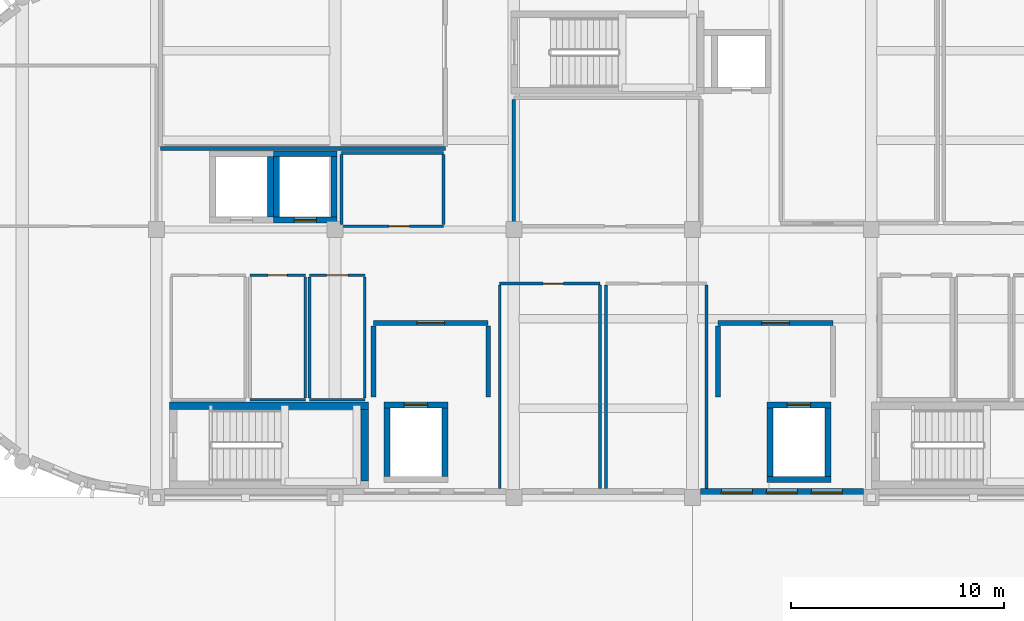
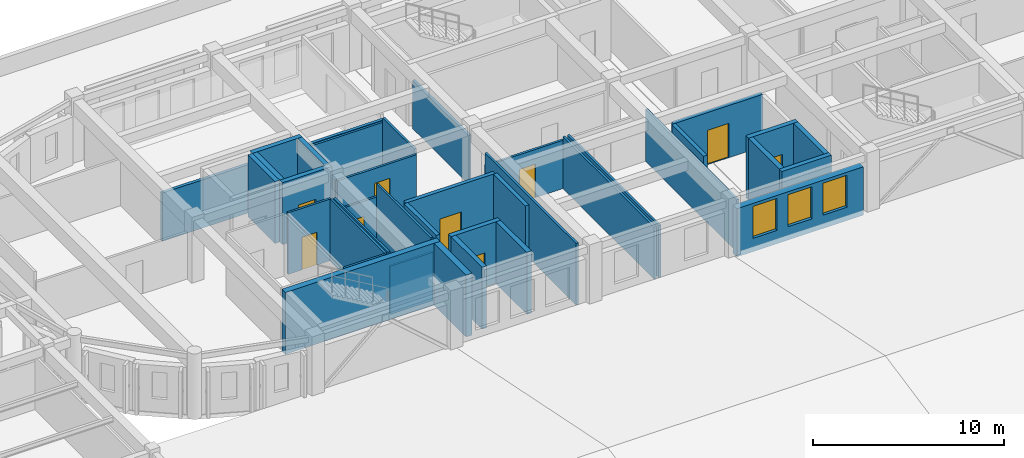
# One storey, part 22 of 46: 38 walls, 9 doors, 3 windows, 12 openings.
"""IFC4 building model written with IfcOpenShell, lengths in metres."""

from ifc_helpers import new_model, si_unit, direction, frame, frame_2d, origin, place, context, subcontext, project, spatial, rectangle, extrude, material, layer, layer_set, type_object, element, fill, save


model = new_model("IFC4")

# Units and contexts
model_context = context("Model", 3, precision=1e-05, world=origin(), true_north=direction((0.0, 1.0)))
body_context = subcontext(model_context, "Body", "Model", "MODEL_VIEW")
ifc_project = project(units=[si_unit("LENGTHUNIT", "METRE"), si_unit("AREAUNIT", "SQUARE_METRE"), si_unit("VOLUMEUNIT", "CUBIC_METRE"), si_unit("PLANEANGLEUNIT", "RADIAN"), si_unit("MASSUNIT", "GRAM", prefix="KILO")], contexts=[model_context])

# Site, building, storey
site_placement = place(None, origin())
site = spatial("IfcSite", under=ifc_project, at=site_placement, CompositionType="ELEMENT")
building_placement = place(site_placement, origin())
building = spatial("IfcBuilding", under=site, at=building_placement, Name="Tarnavel Promenade Courthouse", CompositionType="ELEMENT")
storey_placement = place(building_placement, frame((0.0, 0.0, 14.39990234375)))
storey = spatial("IfcBuildingStorey", under=building, at=storey_placement, Name="L04", CompositionType="ELEMENT", Elevation=14.39990234375)

# Wall
ifc_material_1 = material(Name="Acoustic Insulated Gypsum Stud Partition", Category="gypsum")
ifc_layer_1 = layer(ifc_material_1, 0.1650390625)
ifc_layer_set_1 = layer_set([ifc_layer_1], Name="Acoustic Insulated Gypsum Stud Partition")
wall_type_1 = type_object("IfcWallType", Name="Acoustic Insulated Gypsum Stud Partition WL-CHM-165 (165 mm)", PredefinedType="PARTITIONING", material=ifc_layer_set_1)
wall_1_placement = place(storey_placement, frame((75.60009765625, 92.04248046875, 0.0), z_axis=(0.0, 0.0, 1.0), x_axis=(0.0, 1.0, 0.0)))
element("IfcWall", 1, at=wall_1_placement, inside=storey, type_object=wall_type_1, Name="L04 L04 Judicial Panel Deliberation Salon Partition 0630", PredefinedType="PARTITIONING", context=body_context, shape_type="SweptSolid", body=[
    extrude(rectangle(XDim=5.864990234375, YDim=0.1650390625, at=frame_2d((2.9326171875, 0.0))), origin(), (0.0, 0.0, 1.0), 3.090087890625),
])

# Wall, opening, door
ifc_material_2 = material(Name="Concrete C40/50", Category="concrete")
ifc_layer_2 = layer(ifc_material_2, 0.280029296875)
ifc_layer_set_2 = layer_set([ifc_layer_2], Name="Concrete C40/50")
wall_type_2 = type_object("IfcWallType", Name="Concrete C40/50 WL-SHR-280 (280 mm)", PredefinedType="SHEAR", material=ifc_layer_set_2)
wall_2_placement = place(storey_placement, frame((69.5, 83.56005859375, 0.0), z_axis=(0.0, 0.0, 1.0), x_axis=(1.0, 0.0, 0.0)))
wall_2 = element("IfcWall", 2, at=wall_2_placement, inside=storey, type_object=wall_type_2, Name="L04 L-FF1 Lift Shaft North Wall", PredefinedType="SHEAR", context=body_context, shape_type="SweptSolid", body=[
    extrude(rectangle(XDim=3.0, YDim=0.280029296875, at=frame_2d((1.5, 0.0))), origin(), (0.0, 0.0, 1.0), 3.960205078125),
])
opening_1_placement = place(wall_2_placement, frame((0.949951171875, 0.0, 0.0)))
opening_1 = element("IfcOpeningElement", 3, at=opening_1_placement, cuts=wall_2, Name="Opening LD-01", PredefinedType="OPENING", context=body_context, shape_type="SweptSolid", body=[
    extrude(rectangle(XDim=1.10009765625, YDim=2.199951171875, at=frame_2d((0.550048828125, 1.10009765625))), frame((0.0, 0.14990234375, 0.0), z_axis=(0.0, -1.0, 0.0), x_axis=(1.0, 0.0, 0.0)), (0.0, 0.0, 1.0), 0.300048828125),
])
ifc_material_3 = material(Name="Stainless Steel Firefighting Lift Landing Sliding Door", Category="steel")
door_type_1 = type_object("IfcDoorType", Name="Stainless Steel Firefighting Lift Landing Sliding Door (LD-FF-1100x2200)", OperationType="NOTDEFINED", PredefinedType="DOOR", material=ifc_material_3)
door_1_placement = place(opening_1_placement, origin())
door_1 = element("IfcDoor", 4, at=door_1_placement, inside=storey, type_object=door_type_1, Name="L04 L-FF1 Lift Sliding Landing Door", OperationType="DOUBLE_DOOR_SLIDING", OverallHeight=2.199951171875, OverallWidth=1.10009765625, PredefinedType="DOOR", context=body_context, shape_type="SweptSolid", body=[
    extrude(rectangle(XDim=1.10009765625, YDim=2.199951171875, at=frame_2d((0.550048828125, 1.10009765625))), frame((0.0, 0.02490234375, 0.0), z_axis=(0.0, -1.0, 0.0), x_axis=(1.0, 0.0, 0.0)), (0.0, 0.0, 1.0), 0.050048828125),
])
fill(opening_1, door_1)

# Walls
for number, where, z_axis, x_axis, name in (
    (5, (69.639892578125, 80.179931640625, 0.0), (0.0, 0.0, 1.0), (0.0, 1.0, 0.0), "L04 L-FF1 Lift Shaft West Wall"),
    (6, (72.360107421875, 83.419921875, 0.0), (0.0, 0.0, 1.0), (0.0, -1.0, 0.0), "L04 L-FF1 Lift Shaft East Wall"),
):
    element("IfcWall", number, at=place(storey_placement, frame(where, z_axis=z_axis, x_axis=x_axis)), inside=storey, type_object=wall_type_2, Name=name, PredefinedType="SHEAR", context=body_context, shape_type="SweptSolid", body=[
        extrude(rectangle(XDim=3.239990234375, YDim=0.280029296875, at=frame_2d((1.6201171875, 0.0))), origin(), (0.0, 0.0, 1.0), 3.960205078125),
    ])

# Wall, opening, door
wall_3_placement = place(storey_placement, frame((87.5, 83.56005859375, 0.0), z_axis=(0.0, 0.0, 1.0), x_axis=(1.0, 0.0, 0.0)))
wall_3 = element("IfcWall", 7, at=wall_3_placement, inside=storey, type_object=wall_type_2, Name="L04 L-FF2 Lift Shaft North Wall", PredefinedType="SHEAR", context=body_context, shape_type="SweptSolid", body=[
    extrude(rectangle(XDim=3.0, YDim=0.280029296875, at=frame_2d((1.5, 0.0))), origin(), (0.0, 0.0, 1.0), 3.960205078125),
])
opening_2_placement = place(wall_3_placement, frame((0.949951171875, 0.0, 0.0)))
opening_2 = element("IfcOpeningElement", 8, at=opening_2_placement, cuts=wall_3, Name="Opening LD-01", PredefinedType="OPENING", context=body_context, shape_type="SweptSolid", body=[
    extrude(rectangle(XDim=1.10009765625, YDim=2.199951171875, at=frame_2d((0.550048828125, 1.10009765625))), frame((0.0, 0.14990234375, 0.0), z_axis=(0.0, -1.0, 0.0), x_axis=(1.0, 0.0, 0.0)), (0.0, 0.0, 1.0), 0.300048828125),
])
door_2_placement = place(opening_2_placement, origin())
door_2 = element("IfcDoor", 9, at=door_2_placement, inside=storey, type_object=door_type_1, Name="L04 L-FF2 Lift Sliding Landing Door", OperationType="DOUBLE_DOOR_SLIDING", OverallHeight=2.199951171875, OverallWidth=1.10009765625, PredefinedType="DOOR", context=body_context, shape_type="SweptSolid", body=[
    extrude(rectangle(XDim=1.10009765625, YDim=2.199951171875, at=frame_2d((0.550048828125, 1.10009765625))), frame((0.0, 0.02490234375, 0.0), z_axis=(0.0, -1.0, 0.0), x_axis=(1.0, 0.0, 0.0)), (0.0, 0.0, 1.0), 0.050048828125),
])
fill(opening_2, door_2)

# Walls
wall_4_placement = place(storey_placement, frame((90.5, 80.0400390625, 0.0), z_axis=(0.0, 0.0, 1.0), x_axis=(-1.0, 0.0, 0.0)))
element("IfcWall", 10, at=wall_4_placement, inside=storey, type_object=wall_type_2, Name="L04 L-FF2 Lift Shaft South Wall", PredefinedType="SHEAR", context=body_context, shape_type="SweptSolid", body=[
    extrude(rectangle(XDim=3.0, YDim=0.280029296875, at=frame_2d((1.5, 0.0))), origin(), (0.0, 0.0, 1.0), 3.960205078125),
])
for number, where, z_axis, x_axis, name in (
    (11, (87.639892578125, 80.179931640625, 0.0), (0.0, 0.0, 1.0), (0.0, 1.0, 0.0), "L04 L-FF2 Lift Shaft West Wall"),
    (12, (90.360107421875, 83.419921875, 0.0), (0.0, 0.0, 1.0), (0.0, -1.0, 0.0), "L04 L-FF2 Lift Shaft East Wall"),
):
    element("IfcWall", number, at=place(storey_placement, frame(where, z_axis=z_axis, x_axis=x_axis)), inside=storey, type_object=wall_type_2, Name=name, PredefinedType="SHEAR", context=body_context, shape_type="SweptSolid", body=[
        extrude(rectangle(XDim=3.239990234375, YDim=0.280029296875, at=frame_2d((1.6201171875, 0.0))), origin(), (0.0, 0.0, 1.0), 3.960205078125),
    ])
wall_5_placement = place(storey_placement, frame((64.159912109375, 95.219970703125, 0.0), z_axis=(0.0, 0.0, 1.0), x_axis=(0.0, -1.0, 0.0)))
element("IfcWall", 13, at=wall_5_placement, inside=storey, type_object=wall_type_2, Name="L04 L-PUB1 Lift Shaft East Wall", PredefinedType="SHEAR", context=body_context, shape_type="SweptSolid", body=[
    extrude(rectangle(XDim=2.840087890625, YDim=0.280029296875, at=frame_2d((1.419921875, 0.0))), origin(), (0.0, 0.0, 1.0), 3.960205078125),
])
wall_6_placement = place(storey_placement, frame((64.300048828125, 95.360107421875, 0.0), z_axis=(0.0, 0.0, 1.0), x_axis=(1.0, 0.0, 0.0)))
element("IfcWall", 14, at=wall_6_placement, inside=storey, type_object=wall_type_2, Name="L04 L-PUB2 Lift Shaft North Wall", PredefinedType="SHEAR", context=body_context, shape_type="SweptSolid", body=[
    extrude(rectangle(XDim=3.0, YDim=0.280029296875, at=frame_2d((1.5, 0.0))), origin(), (0.0, 0.0, 1.0), 3.960205078125),
])

# Wall, opening, door
wall_7_placement = place(storey_placement, frame((67.300048828125, 92.239990234375, 0.0), z_axis=(0.0, 0.0, 1.0), x_axis=(-1.0, 0.0, 0.0)))
wall_7 = element("IfcWall", 15, at=wall_7_placement, inside=storey, type_object=wall_type_2, Name="L04 L-PUB2 Lift Shaft South Wall", PredefinedType="SHEAR", context=body_context, shape_type="SweptSolid", body=[
    extrude(rectangle(XDim=3.0, YDim=0.280029296875, at=frame_2d((1.5, 0.0))), origin(), (0.0, 0.0, 1.0), 3.960205078125),
])
opening_3_placement = place(wall_7_placement, frame((0.97509765625, 0.0, 0.0)))
opening_3 = element("IfcOpeningElement", 16, at=opening_3_placement, cuts=wall_7, Name="Opening LD-02", PredefinedType="OPENING", context=body_context, shape_type="SweptSolid", body=[
    extrude(rectangle(XDim=1.050048828125, YDim=2.199951171875, at=frame_2d((0.52490234375, 1.10009765625))), frame((0.0, 0.14990234375, 0.0), z_axis=(0.0, -1.0, 0.0), x_axis=(1.0, 0.0, 0.0)), (0.0, 0.0, 1.0), 0.300048828125),
])
ifc_material_4 = material(Name="Brushed Bronze Passenger Lift Landing Sliding Door")
door_type_2 = type_object("IfcDoorType", Name="Brushed Bronze Passenger Lift Landing Sliding Door (LD-PUB-1050x2200)", OperationType="NOTDEFINED", PredefinedType="DOOR", material=ifc_material_4)
door_3_placement = place(opening_3_placement, origin())
door_3 = element("IfcDoor", 17, at=door_3_placement, inside=storey, type_object=door_type_2, Name="L04 L-PUB2 Lift Sliding Landing Door", OperationType="DOUBLE_DOOR_SLIDING", OverallHeight=2.199951171875, OverallWidth=1.050048828125, PredefinedType="DOOR", context=body_context, shape_type="SweptSolid", body=[
    extrude(rectangle(XDim=1.050048828125, YDim=2.199951171875, at=frame_2d((0.52490234375, 1.10009765625))), frame((0.0, 0.02490234375, 0.0), z_axis=(0.0, -1.0, 0.0), x_axis=(1.0, 0.0, 0.0)), (0.0, 0.0, 1.0), 0.050048828125),
])
fill(opening_3, door_3)

# Walls
for number, where, z_axis, x_axis, name in (
    (18, (64.43994140625, 92.3798828125, 0.0), (0.0, 0.0, 1.0), (0.0, 1.0, 0.0), "L04 L-PUB2 Lift Shaft West Wall"),
    (19, (67.159912109375, 95.219970703125, 0.0), (0.0, 0.0, 1.0), (0.0, -1.0, 0.0), "L04 L-PUB2 Lift Shaft East Wall"),
):
    element("IfcWall", number, at=place(storey_placement, frame(where, z_axis=z_axis, x_axis=x_axis)), inside=storey, type_object=wall_type_2, Name=name, PredefinedType="SHEAR", context=body_context, shape_type="SweptSolid", body=[
        extrude(rectangle(XDim=2.840087890625, YDim=0.280029296875, at=frame_2d((1.419921875, 0.0))), origin(), (0.0, 0.0, 1.0), 3.960205078125),
    ])
ifc_layer_3 = layer(ifc_material_2, 0.360107421875)
ifc_layer_set_3 = layer_set([ifc_layer_3], Name="Concrete C40/50")
wall_type_3 = type_object("IfcWallType", Name="Concrete C40/50 WL-SHR-360 (360 mm)", PredefinedType="SHEAR", material=ifc_layer_set_3)
wall_8_placement = place(storey_placement, frame((59.419921875, 83.52001953125, 0.0), z_axis=(0.0, 0.0, 1.0), x_axis=(1.0, 0.0, 0.0)))
element("IfcWall", 20, at=wall_8_placement, inside=storey, type_object=wall_type_3, Name="L04 ST-01 Shear Core North Wall", PredefinedType="SHEAR", context=body_context, shape_type="SweptSolid", body=[
    extrude(rectangle(XDim=9.360107421875, YDim=0.360107421875, at=frame_2d((4.68017578125, 0.0))), origin(), (0.0, 0.0, 1.0), 3.960205078125),
])
wall_9_placement = place(storey_placement, frame((68.60009765625, 83.340087890625, 0.0), z_axis=(0.0, 0.0, 1.0), x_axis=(0.0, -1.0, 0.0)))
element("IfcWall", 21, at=wall_9_placement, inside=storey, type_object=wall_type_3, Name="L04 ST-01 Shear Core East Wall", PredefinedType="SHEAR", context=body_context, shape_type="SweptSolid", body=[
    extrude(rectangle(XDim=3.360107421875, YDim=0.360107421875, at=frame_2d((1.68017578125, 0.0))), origin(), (0.0, 0.0, 1.0), 3.960205078125),
])

# Wall, opening, door
ifc_material_5 = material(Name="Concrete Masonry Fire Compartment Wall", Category="masonry")
ifc_layer_4 = layer(ifc_material_5, 0.22998046875)
ifc_layer_set_4 = layer_set([ifc_layer_4], Name="Concrete Masonry Fire Compartment Wall")
wall_type_4 = type_object("IfcWallType", Name="Concrete Masonry Fire Compartment Wall WL-CMP-230 (230 mm)", PredefinedType="STANDARD", material=ifc_layer_set_4)
wall_10_placement = place(storey_placement, frame((69.0, 87.39990234375, 0.0), z_axis=(0.0, 0.0, 1.0), x_axis=(1.0, 0.0, 0.0)))
wall_10 = element("IfcWall", 22, at=wall_10_placement, inside=storey, type_object=wall_type_4, Name="L04 Firefighting Lobby L-FF1 Partition 0556", PredefinedType="STANDARD", context=body_context, shape_type="SweptSolid", body=[
    extrude(rectangle(XDim=5.39990234375, YDim=0.22998046875, at=frame_2d((2.699951171875, 0.0))), origin(), (0.0, 0.0, 1.0), 3.945068359375),
])
opening_4_placement = place(wall_10_placement, frame((2.050048828125, 0.0, 0.0)))
opening_4 = element("IfcOpeningElement", 23, at=opening_4_placement, cuts=wall_10, Name="Opening FD-03", PredefinedType="OPENING", context=body_context, shape_type="SweptSolid", body=[
    extrude(rectangle(XDim=1.300048828125, YDim=2.199951171875, at=frame_2d((0.64990234375, 1.10009765625))), frame((0.0, 0.125, 0.0), z_axis=(0.0, -1.0, 0.0), x_axis=(1.0, 0.0, 0.0)), (0.0, 0.0, 1.0), 0.25),
])
ifc_material_6 = material(Name="Smoke-Sealed Firefighting Lobby Fire Door")
door_type_3 = type_object("IfcDoorType", Name="Smoke-Sealed Firefighting Lobby Fire Door (DR-FFL-1300x2200)", OperationType="NOTDEFINED", PredefinedType="DOOR", material=ifc_material_6)
door_4_placement = place(opening_4_placement, origin())
door_4 = element("IfcDoor", 24, at=door_4_placement, inside=storey, type_object=door_type_3, Name="L04 Firefighting Lobby L-FF1 Door 0159", OperationType="SINGLE_SWING_RIGHT", OverallHeight=2.199951171875, OverallWidth=1.300048828125, PredefinedType="DOOR", context=body_context, shape_type="SweptSolid", body=[
    extrude(rectangle(XDim=1.300048828125, YDim=2.199951171875, at=frame_2d((0.64990234375, 1.10009765625))), frame((0.0, 0.02490234375, 0.0), z_axis=(0.0, -1.0, 0.0), x_axis=(1.0, 0.0, 0.0)), (0.0, 0.0, 1.0), 0.050048828125),
])
fill(opening_4, door_4)

# Walls
for number, where, z_axis, x_axis, name in (
    (25, (69.0, 83.925048828125, 0.0), (0.0, 0.0, 1.0), (0.0, 1.0, 0.0), "L04 Firefighting Lobby L-FF1 Partition 0557"),
    (26, (74.39990234375, 87.27490234375, 0.0), (0.0, 0.0, 1.0), (0.0, -1.0, 0.0), "L04 Firefighting Lobby L-FF1 Partition 0558"),
):
    element("IfcWall", number, at=place(storey_placement, frame(where, z_axis=z_axis, x_axis=x_axis)), inside=storey, type_object=wall_type_4, Name=name, PredefinedType="STANDARD", context=body_context, shape_type="SweptSolid", body=[
        extrude(rectangle(XDim=3.349853515625, YDim=0.22998046875, at=frame_2d((1.6748046875, 0.0))), origin(), (0.0, 0.0, 1.0), 3.945068359375),
    ])

# Wall, opening, door
wall_11_placement = place(storey_placement, frame((85.199951171875, 87.39990234375, 0.0), z_axis=(0.0, 0.0, 1.0), x_axis=(1.0, 0.0, 0.0)))
wall_11 = element("IfcWall", 27, at=wall_11_placement, inside=storey, type_object=wall_type_4, Name="L04 Firefighting Lobby L-FF2 Partition 0559", PredefinedType="STANDARD", context=body_context, shape_type="SweptSolid", body=[
    extrude(rectangle(XDim=5.400146484375, YDim=0.22998046875, at=frame_2d((2.7001953125, 0.0))), origin(), (0.0, 0.0, 1.0), 3.340087890625),
])
opening_5_placement = place(wall_11_placement, frame((2.050048828125, 0.0, 0.0)))
opening_5 = element("IfcOpeningElement", 28, at=opening_5_placement, cuts=wall_11, Name="Opening FD-03", PredefinedType="OPENING", context=body_context, shape_type="SweptSolid", body=[
    extrude(rectangle(XDim=1.300048828125, YDim=2.199951171875, at=frame_2d((0.64990234375, 1.10009765625))), frame((0.0, 0.125, 0.0), z_axis=(0.0, -1.0, 0.0), x_axis=(1.0, 0.0, 0.0)), (0.0, 0.0, 1.0), 0.25),
])
door_5_placement = place(opening_5_placement, origin())
door_5 = element("IfcDoor", 29, at=door_5_placement, inside=storey, type_object=door_type_3, Name="L04 Firefighting Lobby L-FF2 Door 0160", OperationType="SINGLE_SWING_LEFT", OverallHeight=2.199951171875, OverallWidth=1.300048828125, PredefinedType="DOOR", context=body_context, shape_type="SweptSolid", body=[
    extrude(rectangle(XDim=1.300048828125, YDim=2.199951171875, at=frame_2d((0.64990234375, 1.10009765625))), frame((0.0, 0.02490234375, 0.0), z_axis=(0.0, -1.0, 0.0), x_axis=(1.0, 0.0, 0.0)), (0.0, 0.0, 1.0), 0.050048828125),
])
fill(opening_5, door_5)

# Wall
wall_12_placement = place(storey_placement, frame((85.199951171875, 83.925048828125, 0.0), z_axis=(0.0, 0.0, 1.0), x_axis=(0.0, 1.0, 0.0)))
element("IfcWall", 30, at=wall_12_placement, inside=storey, type_object=wall_type_4, Name="L04 Firefighting Lobby L-FF2 Partition 0560", PredefinedType="STANDARD", context=body_context, shape_type="SweptSolid", body=[
    extrude(rectangle(XDim=3.349853515625, YDim=0.22998046875, at=frame_2d((1.6748046875, 0.0))), origin(), (0.0, 0.0, 1.0), 3.340087890625),
])

# Wall, openings, windows
ifc_material_7 = material(Name="Cream Brick Insulated Cavity Facade Assembly", Category="masonry")
ifc_layer_5 = layer(ifc_material_7, 0.409912109375)
ifc_layer_set_5 = layer_set([ifc_layer_5], Name="Cream Brick Insulated Cavity Facade Assembly")
wall_type_5 = type_object("IfcWallType", Name="Cream Brick Insulated Cavity Facade Assembly WL-EXT-410 (410 mm)", PredefinedType="STANDARD", material=ifc_layer_set_5)
wall_13_placement = place(storey_placement, frame((92.032958984375, 79.419921875, 0.0), z_axis=(0.0, 0.0, 1.0), x_axis=(-1.0, 0.0, 0.0)))
wall_13 = element("IfcWall", 31, at=wall_13_placement, inside=storey, type_object=wall_type_5, Name="L04 Bar South Limestone Facade 0082", PredefinedType="STANDARD", context=body_context, shape_type="SweptSolid", body=[
    extrude(rectangle(XDim=7.666015625, YDim=0.409912109375, at=frame_2d((3.8330078125, 0.0))), origin(), (0.0, 0.0, 1.0), 3.090087890625),
])
opening_6_placement = place(wall_13_placement, frame((0.99462890625, 0.0, 0.85009765625)))
opening_6 = element("IfcOpeningElement", 32, at=opening_6_placement, cuts=wall_13, Name="Opening W-03", PredefinedType="OPENING", context=body_context, shape_type="SweptSolid", body=[
    extrude(rectangle(XDim=1.449951171875, YDim=2.050048828125, at=frame_2d((0.72509765625, 1.02490234375))), frame((0.0, 0.21484375, 0.0), z_axis=(0.0, -1.0, 0.0), x_axis=(1.0, 0.0, 0.0)), (0.0, 0.0, 1.0), 0.429931640625),
])
opening_7_placement = place(wall_13_placement, frame((3.10791015625, 0.0, 0.85009765625)))
opening_7 = element("IfcOpeningElement", 33, at=opening_7_placement, cuts=wall_13, Name="Opening W-03", PredefinedType="OPENING", context=body_context, shape_type="SweptSolid", body=[
    extrude(rectangle(XDim=1.449951171875, YDim=2.050048828125, at=frame_2d((0.72509765625, 1.02490234375))), frame((0.0, 0.21484375, 0.0), z_axis=(0.0, -1.0, 0.0), x_axis=(1.0, 0.0, 0.0)), (0.0, 0.0, 1.0), 0.429931640625),
])
opening_8_placement = place(wall_13_placement, frame((5.22119140625, 0.0, 0.85009765625)))
opening_8 = element("IfcOpeningElement", 34, at=opening_8_placement, cuts=wall_13, Name="Opening W-03", PredefinedType="OPENING", context=body_context, shape_type="SweptSolid", body=[
    extrude(rectangle(XDim=1.449951171875, YDim=2.050048828125, at=frame_2d((0.72509765625, 1.02490234375))), frame((0.0, 0.21484375, 0.0), z_axis=(0.0, -1.0, 0.0), x_axis=(1.0, 0.0, 0.0)), (0.0, 0.0, 1.0), 0.429931640625),
])
ifc_material_8 = material(Name="Triple Low-E Glazed Bronze-Clad Window Assembly")
window_type = type_object("IfcWindowType", Name="Triple-Glazed Bronze-Clad Timber-Aluminium WIN-APP-1450x2050", PartitioningType="SINGLE_PANEL", PredefinedType="WINDOW", material=ifc_material_8)
window_1_placement = place(opening_6_placement, origin())
window_1 = element("IfcWindow", 35, at=window_1_placement, inside=storey, type_object=window_type, Name="L04 Exterior Window 0062", OverallHeight=2.050048828125, OverallWidth=1.449951171875, PartitioningType="SINGLE_PANEL", PredefinedType="WINDOW", context=body_context, shape_type="SweptSolid", body=[
    extrude(rectangle(XDim=1.449951171875, YDim=2.050048828125, at=frame_2d((0.72509765625, 1.02490234375))), frame((0.0, 0.030029296875, 0.0), z_axis=(0.0, -1.0, 0.0), x_axis=(1.0, 0.0, 0.0)), (0.0, 0.0, 1.0), 0.06005859375),
])
fill(opening_6, window_1)
window_2_placement = place(opening_7_placement, origin())
window_2 = element("IfcWindow", 36, at=window_2_placement, inside=storey, type_object=window_type, Name="L04 Exterior Window 0063", OverallHeight=2.050048828125, OverallWidth=1.449951171875, PartitioningType="SINGLE_PANEL", PredefinedType="WINDOW", context=body_context, shape_type="SweptSolid", body=[
    extrude(rectangle(XDim=1.449951171875, YDim=2.050048828125, at=frame_2d((0.72509765625, 1.02490234375))), frame((0.0, 0.030029296875, 0.0), z_axis=(0.0, -1.0, 0.0), x_axis=(1.0, 0.0, 0.0)), (0.0, 0.0, 1.0), 0.06005859375),
])
fill(opening_7, window_2)
window_3_placement = place(opening_8_placement, origin())
window_3 = element("IfcWindow", 37, at=window_3_placement, inside=storey, type_object=window_type, Name="L04 Exterior Window 0064", OverallHeight=2.050048828125, OverallWidth=1.449951171875, PartitioningType="SINGLE_PANEL", PredefinedType="WINDOW", context=body_context, shape_type="SweptSolid", body=[
    extrude(rectangle(XDim=1.449951171875, YDim=2.050048828125, at=frame_2d((0.72509765625, 1.02490234375))), frame((0.0, 0.030029296875, 0.0), z_axis=(0.0, -1.0, 0.0), x_axis=(1.0, 0.0, 0.0)), (0.0, 0.0, 1.0), 0.06005859375),
])
fill(opening_8, window_3)

# Walls
ifc_material_9 = material(Name="Double-Stud Acoustic Courtroom Partition Assembly", Category="gypsum")
ifc_layer_6 = layer(ifc_material_9, 0.18505859375)
ifc_layer_set_6 = layer_set([ifc_layer_6], Name="Double-Stud Acoustic Courtroom Partition Assembly")
wall_type_6 = type_object("IfcWallType", Name="Double-Stud Acoustic Courtroom Partition Assembly WL-CRT-185 (185 mm)", PredefinedType="PARTITIONING", material=ifc_layer_set_6)
wall_14_placement = place(storey_placement, frame((72.39990234375, 95.60009765625, 0.0), z_axis=(0.0, 0.0, 1.0), x_axis=(-1.0, 0.0, 0.0)))
element("IfcWall", 38, at=wall_14_placement, inside=storey, type_object=wall_type_6, Name="L04 Constitutional Review Courtroom Partition 0621", PredefinedType="PARTITIONING", context=body_context, shape_type="SweptSolid", body=[
    extrude(rectangle(XDim=13.39990234375, YDim=0.18505859375, at=frame_2d((6.699951171875, 0.0))), origin(), (0.0, 0.0, 1.0), 3.090087890625),
])
ifc_material_10 = material(Name="Metal-Stud Acoustic Gypsum Partition", Category="gypsum")
ifc_layer_7 = layer(ifc_material_10, 0.135009765625)
ifc_layer_set_7 = layer_set([ifc_layer_7], Name="Metal-Stud Acoustic Gypsum Partition")
wall_type_7 = type_object("IfcWallType", Name="Metal-Stud Acoustic Gypsum Partition WL-OFF-135 (135 mm)", PredefinedType="PARTITIONING", material=ifc_layer_set_7)
wall_15_placement = place(storey_placement, frame((67.5, 95.39990234375, 0.0), z_axis=(0.0, 0.0, 1.0), x_axis=(1.0, 0.0, 0.0)))
element("IfcWall", 39, at=wall_15_placement, inside=storey, type_object=wall_type_7, Name="L04 L04 Judicial Case Clerks' Room Partition 0624", PredefinedType="PARTITIONING", context=body_context, shape_type="SweptSolid", body=[
    extrude(rectangle(XDim=4.800048828125, YDim=0.135009765625, at=frame_2d((2.39990234375, 0.0))), origin(), (0.0, 0.0, 1.0), 3.090087890625),
])

# Wall, opening, door
wall_16_placement = place(storey_placement, frame((72.300048828125, 91.949951171875, 0.0), z_axis=(0.0, 0.0, 1.0), x_axis=(-1.0, 0.0, 0.0)))
wall_16 = element("IfcWall", 40, at=wall_16_placement, inside=storey, type_object=wall_type_7, Name="L04 L04 Judicial Case Clerks' Room Partition 0625", PredefinedType="PARTITIONING", context=body_context, shape_type="SweptSolid", body=[
    extrude(rectangle(XDim=4.800048828125, YDim=0.135009765625, at=frame_2d((2.39990234375, 0.0))), origin(), (0.0, 0.0, 1.0), 3.090087890625),
])
opening_9_placement = place(wall_16_placement, frame((1.610107421875, 0.0, 0.0)))
opening_9 = element("IfcOpeningElement", 41, at=opening_9_placement, cuts=wall_16, Name="Opening ID-06", PredefinedType="OPENING", context=body_context, shape_type="SweptSolid", body=[
    extrude(rectangle(XDim=0.949951171875, YDim=2.14990234375, at=frame_2d((0.47509765625, 1.074951171875))), frame((0.0, 0.077392578125, 0.0), z_axis=(0.0, -1.0, 0.0), x_axis=(1.0, 0.0, 0.0)), (0.0, 0.0, 1.0), 0.155029296875),
])
ifc_material_11 = material(Name="Acoustic Timber Veneer Office Door", Category="wood")
door_type_4 = type_object("IfcDoorType", Name="Acoustic Timber Veneer Office Door (DR-OFF-0950x2150)", OperationType="NOTDEFINED", PredefinedType="DOOR", material=ifc_material_11)
door_6_placement = place(opening_9_placement, origin())
door_6 = element("IfcDoor", 42, at=door_6_placement, inside=storey, type_object=door_type_4, Name="L04 L04 Judicial Case Clerks' Room Door 0179", OperationType="SINGLE_SWING_LEFT", OverallHeight=2.14990234375, OverallWidth=0.949951171875, PredefinedType="DOOR", context=body_context, shape_type="SweptSolid", body=[
    extrude(rectangle(XDim=0.949951171875, YDim=2.14990234375, at=frame_2d((0.47509765625, 1.074951171875))), frame((0.0, 0.02490234375, 0.0), z_axis=(0.0, -1.0, 0.0), x_axis=(1.0, 0.0, 0.0)), (0.0, 0.0, 1.0), 0.050048828125),
])
fill(opening_9, door_6)

# Walls
wall_17_placement = place(storey_placement, frame((67.5, 92.027587890625, 0.0), z_axis=(0.0, 0.0, 1.0), x_axis=(0.0, 1.0, 0.0)))
element("IfcWall", 43, at=wall_17_placement, inside=storey, type_object=wall_type_7, Name="L04 L04 Judicial Case Clerks' Room Partition 0626", PredefinedType="PARTITIONING", context=body_context, shape_type="SweptSolid", body=[
    extrude(rectangle(XDim=3.294921875, YDim=0.135009765625, at=frame_2d((1.6474609375, 0.0))), origin(), (0.0, 0.0, 1.0), 3.090087890625),
])
wall_18_placement = place(storey_placement, frame((72.300048828125, 95.322509765625, 0.0), z_axis=(0.0, 0.0, 1.0), x_axis=(0.0, -1.0, 0.0)))
element("IfcWall", 44, at=wall_18_placement, inside=storey, type_object=wall_type_7, Name="L04 L04 Judicial Case Clerks' Room Partition 0627", PredefinedType="PARTITIONING", context=body_context, shape_type="SweptSolid", body=[
    extrude(rectangle(XDim=3.294921875, YDim=0.135009765625, at=frame_2d((1.6474609375, 0.0))), origin(), (0.0, 0.0, 1.0), 3.39013671875),
])

# Wall, opening, door
wall_19_placement = place(storey_placement, frame((74.93994140625, 89.260009765625, 0.0), z_axis=(0.0, 0.0, 1.0), x_axis=(1.0, 0.0, 0.0)))
wall_19 = element("IfcWall", 45, at=wall_19_placement, inside=storey, type_object=wall_type_7, Name="L04 Judicial Clerks' Research Suite L04 Partition 0638", PredefinedType="PARTITIONING", context=body_context, shape_type="SweptSolid", body=[
    extrude(rectangle(XDim=4.719970703125, YDim=0.135009765625, at=frame_2d((2.35986328125, 0.0))), origin(), (0.0, 0.0, 1.0), 3.090087890625),
])
opening_10_placement = place(wall_19_placement, frame((2.03857421875, 0.0, 0.0)))
opening_10 = element("IfcOpeningElement", 46, at=opening_10_placement, cuts=wall_19, Name="Opening ID-06", PredefinedType="OPENING", context=body_context, shape_type="SweptSolid", body=[
    extrude(rectangle(XDim=0.949951171875, YDim=2.14990234375, at=frame_2d((0.47509765625, 1.074951171875))), frame((0.0, 0.077392578125, 0.0), z_axis=(0.0, -1.0, 0.0), x_axis=(1.0, 0.0, 0.0)), (0.0, 0.0, 1.0), 0.155029296875),
])
door_7_placement = place(opening_10_placement, origin())
door_7 = element("IfcDoor", 47, at=door_7_placement, inside=storey, type_object=door_type_4, Name="L04 Judicial Clerks' Research Suite L04 Door 0183", OperationType="SINGLE_SWING_LEFT", OverallHeight=2.14990234375, OverallWidth=0.949951171875, PredefinedType="DOOR", context=body_context, shape_type="SweptSolid", body=[
    extrude(rectangle(XDim=0.949951171875, YDim=2.14990234375, at=frame_2d((0.47509765625, 1.074951171875))), frame((0.0, 0.02490234375, 0.0), z_axis=(0.0, -1.0, 0.0), x_axis=(1.0, 0.0, 0.0)), (0.0, 0.0, 1.0), 0.050048828125),
])
fill(opening_10, door_7)

# Walls
wall_20_placement = place(storey_placement, frame((74.93994140625, 79.618896484375, 0.0), z_axis=(0.0, 0.0, 1.0), x_axis=(0.0, 1.0, 0.0)))
element("IfcWall", 48, at=wall_20_placement, inside=storey, type_object=wall_type_7, Name="L04 Judicial Clerks' Research Suite L04 Partition 0639", PredefinedType="PARTITIONING", context=body_context, shape_type="SweptSolid", body=[
    extrude(rectangle(XDim=9.563720703125, YDim=0.135009765625, at=frame_2d((4.78173828125, 0.0))), origin(), (0.0, 0.0, 1.0), 3.945068359375),
])
for number, where, z_axis, x_axis, name in (
    (49, (79.659912109375, 89.1826171875, 0.0), (0.0, 0.0, 1.0), (0.0, -1.0, 0.0), "L04 Judicial Clerks' Research Suite L04 Partition 0640"),
    (50, (79.93994140625, 79.618896484375, 0.0), (0.0, 0.0, 1.0), (0.0, 1.0, 0.0), "L04 Evidentiary Digital Review Room Partition 0642"),
    (51, (84.659912109375, 89.1826171875, 0.0), (0.0, 0.0, 1.0), (0.0, -1.0, 0.0), "L04 Evidentiary Digital Review Room Partition 0643"),
):
    element("IfcWall", number, at=place(storey_placement, frame(where, z_axis=z_axis, x_axis=x_axis)), inside=storey, type_object=wall_type_7, Name=name, PredefinedType="PARTITIONING", context=body_context, shape_type="SweptSolid", body=[
        extrude(rectangle(XDim=9.563720703125, YDim=0.135009765625, at=frame_2d((4.78173828125, 0.0))), origin(), (0.0, 0.0, 1.0), 3.340087890625),
    ])

# Wall, opening, door
ifc_material_12 = material(Name="Moisture-Resistant Tile-Backed Stud Partition", Category="gypsum")
ifc_layer_8 = layer(ifc_material_12, 0.125)
ifc_layer_set_8 = layer_set([ifc_layer_8], Name="Moisture-Resistant Tile-Backed Stud Partition")
wall_type_8 = type_object("IfcWallType", Name="Moisture-Resistant Tile-Backed Stud Partition WL-WET-125 (125 mm)", PredefinedType="PARTITIONING", material=ifc_layer_set_8)
wall_21_placement = place(storey_placement, frame((63.199951171875, 89.64990234375, 0.0), z_axis=(0.0, 0.0, 1.0), x_axis=(1.0, 0.0, 0.0)))
wall_21 = element("IfcWall", 52, at=wall_21_placement, inside=storey, type_object=wall_type_8, Name="L04 Public WC Partition 0562", PredefinedType="PARTITIONING", context=body_context, shape_type="SweptSolid", body=[
    extrude(rectangle(XDim=2.60009765625, YDim=0.125, at=frame_2d((1.300048828125, 0.0))), origin(), (0.0, 0.0, 1.0), 3.945068359375),
])
opening_11_placement = place(wall_21_placement, frame((0.85009765625, 0.0, 0.0)))
opening_11 = element("IfcOpeningElement", 53, at=opening_11_placement, cuts=wall_21, Name="Opening ID-08", PredefinedType="OPENING", context=body_context, shape_type="SweptSolid", body=[
    extrude(rectangle(XDim=0.89990234375, YDim=2.10009765625, at=frame_2d((0.449951171875, 1.050048828125))), frame((0.0, 0.072509765625, 0.0), z_axis=(0.0, -1.0, 0.0), x_axis=(1.0, 0.0, 0.0)), (0.0, 0.0, 1.0), 0.14501953125),
])
ifc_material_13 = material(Name="Moisture-Resistant Laminate Restroom Door")
door_type_5 = type_object("IfcDoorType", Name="Moisture-Resistant Laminate Restroom Door (DR-WC-0900x2100)", OperationType="NOTDEFINED", PredefinedType="DOOR", material=ifc_material_13)
door_8_placement = place(opening_11_placement, origin())
door_8 = element("IfcDoor", 54, at=door_8_placement, inside=storey, type_object=door_type_5, Name="L04 Public WC Door 0161", OperationType="SINGLE_SWING_RIGHT", OverallHeight=2.10009765625, OverallWidth=0.89990234375, PredefinedType="DOOR", context=body_context, shape_type="SweptSolid", body=[
    extrude(rectangle(XDim=0.89990234375, YDim=2.10009765625, at=frame_2d((0.449951171875, 1.050048828125))), frame((0.0, 0.02490234375, 0.0), z_axis=(0.0, -1.0, 0.0), x_axis=(1.0, 0.0, 0.0)), (0.0, 0.0, 1.0), 0.050048828125),
])
fill(opening_11, door_8)

# Walls
wall_22_placement = place(storey_placement, frame((65.800048828125, 83.800048828125, 0.0), z_axis=(0.0, 0.0, 1.0), x_axis=(-1.0, 0.0, 0.0)))
element("IfcWall", 55, at=wall_22_placement, inside=storey, type_object=wall_type_8, Name="L04 Public WC Partition 0563", PredefinedType="PARTITIONING", context=body_context, shape_type="SweptSolid", body=[
    extrude(rectangle(XDim=2.60009765625, YDim=0.125, at=frame_2d((1.300048828125, 0.0))), origin(), (0.0, 0.0, 1.0), 3.945068359375),
])
wall_23_placement = place(storey_placement, frame((65.800048828125, 89.577392578125, 0.0), z_axis=(0.0, 0.0, 1.0), x_axis=(0.0, -1.0, 0.0)))
element("IfcWall", 56, at=wall_23_placement, inside=storey, type_object=wall_type_8, Name="L04 Public WC Partition 0565", PredefinedType="PARTITIONING", context=body_context, shape_type="SweptSolid", body=[
    extrude(rectangle(XDim=5.704833984375, YDim=0.125, at=frame_2d((2.8525390625, 0.0))), origin(), (0.0, 0.0, 1.0), 3.945068359375),
])

# Wall, opening, door
wall_24_placement = place(storey_placement, frame((66.0, 89.64990234375, 0.0), z_axis=(0.0, 0.0, 1.0), x_axis=(1.0, 0.0, 0.0)))
wall_24 = element("IfcWall", 57, at=wall_24_placement, inside=storey, type_object=wall_type_8, Name="L04 Accessible WC Partition 0566", PredefinedType="PARTITIONING", context=body_context, shape_type="SweptSolid", body=[
    extrude(rectangle(XDim=2.60009765625, YDim=0.125, at=frame_2d((1.300048828125, 0.0))), origin(), (0.0, 0.0, 1.0), 3.090087890625),
])
opening_12_placement = place(wall_24_placement, frame((0.800048828125, 0.0, 0.0)))
opening_12 = element("IfcOpeningElement", 58, at=opening_12_placement, cuts=wall_24, Name="Opening ID-09", PredefinedType="OPENING", context=body_context, shape_type="SweptSolid", body=[
    extrude(rectangle(XDim=1.0, YDim=2.10009765625, at=frame_2d((0.5, 1.050048828125))), frame((0.0, 0.072509765625, 0.0), z_axis=(0.0, -1.0, 0.0), x_axis=(1.0, 0.0, 0.0)), (0.0, 0.0, 1.0), 0.14501953125),
])
ifc_material_14 = material(Name="Wide Accessible Restroom Outward Door")
door_type_6 = type_object("IfcDoorType", Name="Wide Accessible Restroom Outward Door (DR-AWC-1000x2100)", OperationType="NOTDEFINED", PredefinedType="DOOR", material=ifc_material_14)
door_9_placement = place(opening_12_placement, origin())
door_9 = element("IfcDoor", 59, at=door_9_placement, inside=storey, type_object=door_type_6, Name="L04 Accessible WC Door 0162", OperationType="SINGLE_SWING_LEFT", OverallHeight=2.10009765625, OverallWidth=1.0, PredefinedType="DOOR", context=body_context, shape_type="SweptSolid", body=[
    extrude(rectangle(XDim=1.0, YDim=2.10009765625, at=frame_2d((0.5, 1.050048828125))), frame((0.0, 0.02490234375, 0.0), z_axis=(0.0, -1.0, 0.0), x_axis=(1.0, 0.0, 0.0)), (0.0, 0.0, 1.0), 0.050048828125),
])
fill(opening_12, door_9)

# Walls
wall_25_placement = place(storey_placement, frame((68.60009765625, 83.800048828125, 0.0), z_axis=(0.0, 0.0, 1.0), x_axis=(-1.0, 0.0, 0.0)))
element("IfcWall", 60, at=wall_25_placement, inside=storey, type_object=wall_type_8, Name="L04 Accessible WC Partition 0567", PredefinedType="PARTITIONING", context=body_context, shape_type="SweptSolid", body=[
    extrude(rectangle(XDim=2.60009765625, YDim=0.125, at=frame_2d((1.300048828125, 0.0))), origin(), (0.0, 0.0, 1.0), 3.090087890625),
])
for number, where, z_axis, x_axis, name in (
    (61, (66.0, 83.87255859375, 0.0), (0.0, 0.0, 1.0), (0.0, 1.0, 0.0), "L04 Accessible WC Partition 0568"),
    (62, (68.60009765625, 89.577392578125, 0.0), (0.0, 0.0, 1.0), (0.0, -1.0, 0.0), "L04 Accessible WC Partition 0569"),
):
    element("IfcWall", number, at=place(storey_placement, frame(where, z_axis=z_axis, x_axis=x_axis)), inside=storey, type_object=wall_type_8, Name=name, PredefinedType="PARTITIONING", context=body_context, shape_type="SweptSolid", body=[
        extrude(rectangle(XDim=5.704833984375, YDim=0.125, at=frame_2d((2.8525390625, 0.0))), origin(), (0.0, 0.0, 1.0), 3.945068359375),
    ])

save(model, "model.ifc")
